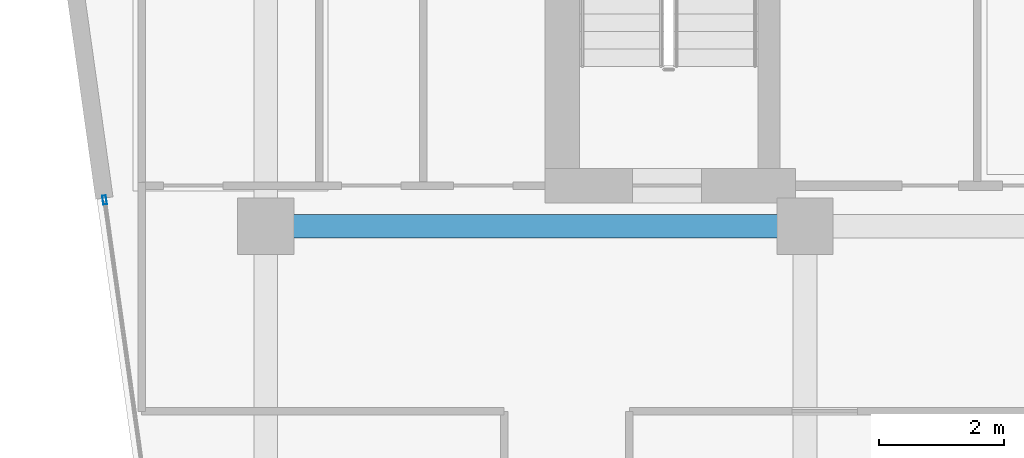
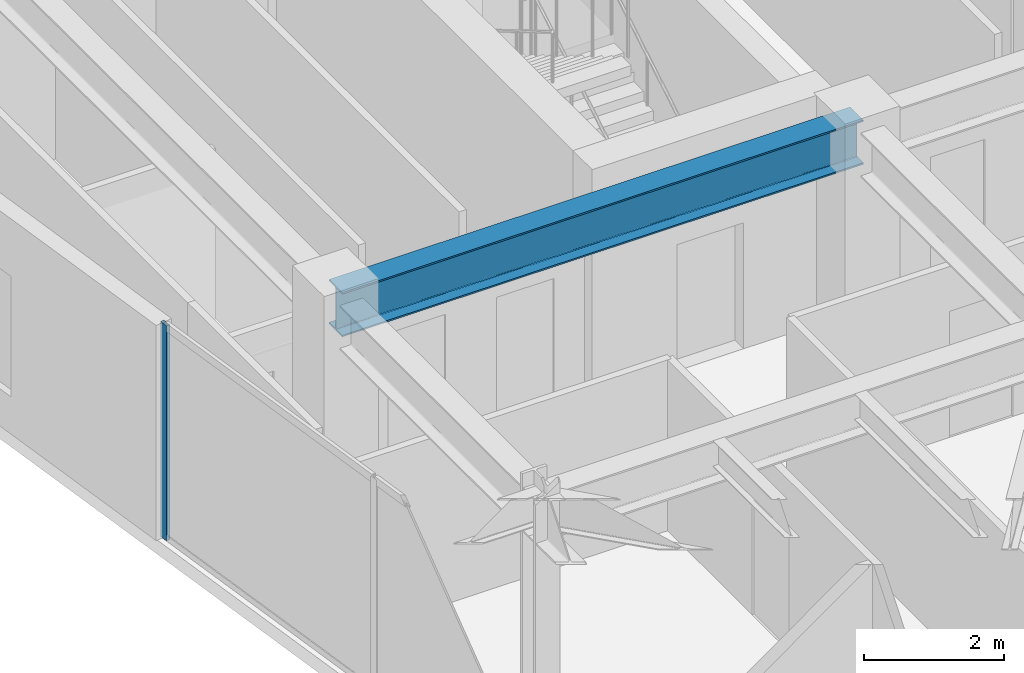
# One storey, part 12 of 27: 1 beam, 1 member, 1 element without a shape of its own.
"""IFC4 building model written with IfcOpenShell, lengths in metres."""

from ifc_helpers import new_model, si_unit, direction, frame, origin, origin_2d, place, context, subcontext, project, spatial, hollow_rectangle, i_section, extrude, material, layer, layer_set, material_profile, profile_set, type_object, element, aggregate, save


model = new_model("IFC4")

# Units and contexts
model_context = context("Model", 3, precision=1e-05, world=origin(), true_north=direction((0.0, 1.0)))
body_context = subcontext(model_context, "Body", "Model", "MODEL_VIEW")
ifc_project = project(units=[si_unit("LENGTHUNIT", "METRE"), si_unit("AREAUNIT", "SQUARE_METRE"), si_unit("VOLUMEUNIT", "CUBIC_METRE"), si_unit("PLANEANGLEUNIT", "RADIAN"), si_unit("MASSUNIT", "GRAM", prefix="KILO")], contexts=[model_context])

# Site, building, storey
site_placement = place(None, origin())
site = spatial("IfcSite", under=ifc_project, at=site_placement, CompositionType="ELEMENT")
building_placement = place(site_placement, origin())
building = spatial("IfcBuilding", under=site, at=building_placement, Name="Kravanh Interchange Tower", CompositionType="ELEMENT")
storey_placement = place(building_placement, frame((0.0, 0.0, 188.5)))
storey = spatial("IfcBuildingStorey", under=building, at=storey_placement, Name="L45", CompositionType="ELEMENT", Elevation=188.5)

# Curtain wall, member
ifc_material_1 = material(Name="Anodised Bronze Aluminium", Category="aluminium")
ifc_layer = layer(ifc_material_1, 0.179931640625)
ifc_layer_set = layer_set([ifc_layer], Name="Unitised Curtain Wall System CW-Z3 Upper Office")
curtain_wall_type = type_object("IfcCurtainWallType", Name="Unitised Curtain Wall System CW-Z3 Upper Office", PredefinedType="NOTDEFINED", material=ifc_layer_set)
curtain_wall_placement = place(storey_placement, origin())
curtain_wall = element("IfcCurtainWall", 1, at=curtain_wall_placement, inside=storey, type_object=curtain_wall_type, Name="L45 Unitised Curtain Wall CW-L45-01", PredefinedType="NOTDEFINED")
ifc_material_2 = material(Name="Anodised Bronze Aluminium", Category="aluminium")
ifc_material_profile_1 = material_profile(ifc_material_2, hollow_rectangle(XDim=0.06005859375, YDim=0.139892578125, WallThickness=0.00390625, at=origin_2d()), Name="ALU60X140X4")
ifc_profile_set_1 = profile_set([ifc_material_profile_1], Name="Anodised Bronze Aluminium")
member_type = type_object("IfcMemberType", Name="Curtain Wall Mullion ALU60X140X4 Bronze", PredefinedType="MULLION", material=ifc_profile_set_1)
member_placement = place(storey_placement, frame((16.029296875, 37.770263671875, 0.0), z_axis=(0.0, 0.0, 1.0), x_axis=(-0.990268194035, -0.139172209446, 0.0)))
member = element("IfcMember", 2, at=member_placement, type_object=member_type, Name="CW-Z3 mullion 6", PredefinedType="MULLION", context=body_context, shape_type="SweptSolid", body=[
    extrude(hollow_rectangle(XDim=0.06005859375, YDim=0.139892578125, WallThickness=0.00390625, at=origin_2d()), origin(), (0.0, 0.0, 1.0), 3.7548828125),
])
aggregate(curtain_wall, [member])

# Beam
ifc_material_3 = material(Name="Structural Steel S355", Category="steel")
ifc_material_profile_2 = material_profile(ifc_material_3, i_section(OverallWidth=0.381103515625, OverallDepth=0.77294921875, WebThickness=0.0166015625, FlangeThickness=0.027099609375, FilletRadius=0.02490234375, at=origin_2d()), Name="W30X173")
ifc_profile_set_2 = profile_set([ifc_material_profile_2], Name="Structural Steel S355")
beam_type = type_object("IfcBeamType", Name="Floor Beam W30X173 Structural Steel S355", PredefinedType="BEAM", material=ifc_profile_set_2)
beam_placement = place(storey_placement, frame((27.199951171875, 37.35009765625, 3.368408203125), z_axis=(-1.0, 0.0, 0.0), x_axis=(0.0, -1.0, 0.0)))
element("IfcBeam", 3, at=beam_placement, inside=storey, type_object=beam_type, Name="L45 Primary Floor Girder 25", PredefinedType="BEAM", context=body_context, shape_type="SweptSolid", body=[
    extrude(i_section(OverallWidth=0.381103515625, OverallDepth=0.77294921875, WebThickness=0.0166015625, FlangeThickness=0.027099609375, FilletRadius=0.02490234375, at=origin_2d()), origin(), (0.0, 0.0, 1.0), 8.599853515625),
])

save(model, "model.ifc")
